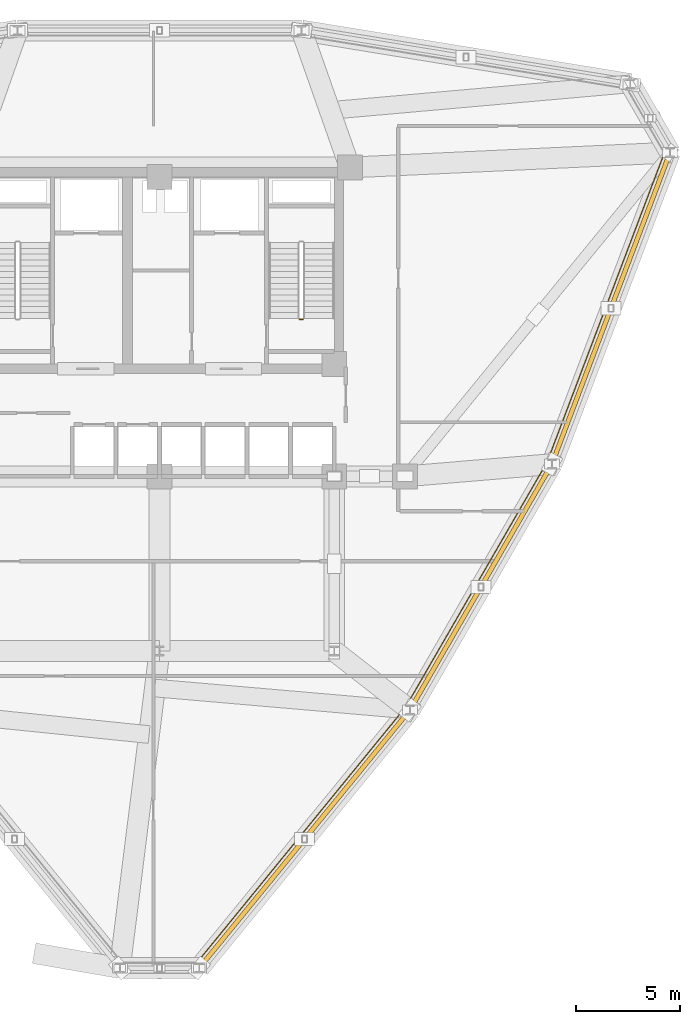
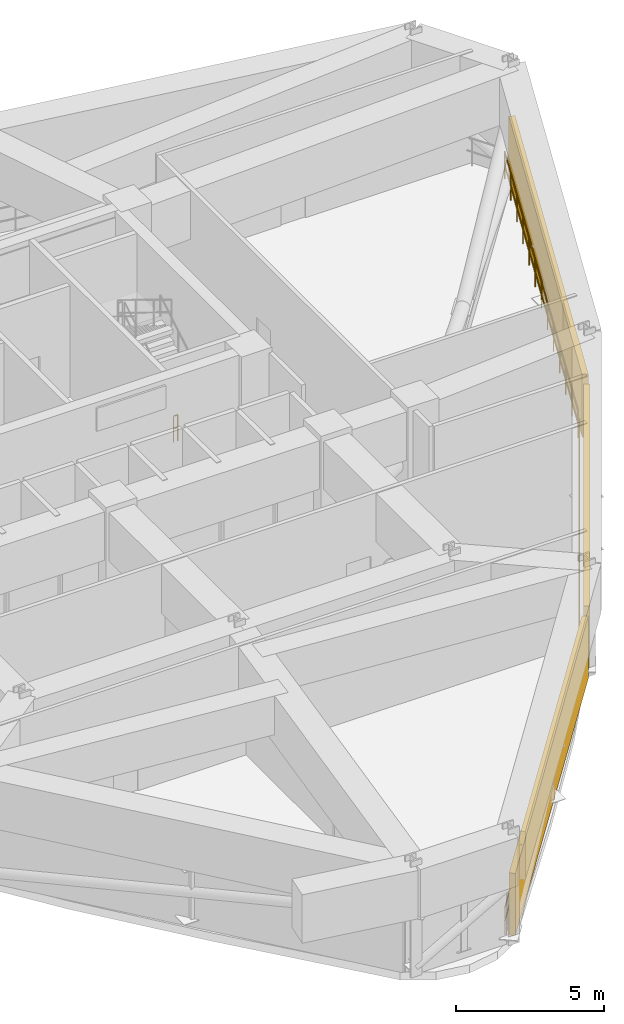
# One storey, part 11 of 13: 4 railings, 3 shading devices.
"""IFC4 building model written with IfcOpenShell, lengths in metres."""

from ifc_helpers import new_model, si_unit, derived_unit, direction, frame, origin, origin_2d, place, context, subcontext, project, spatial, polyline, circle, outline, extrude, material, layer, layer_set, type_object, element, save


model = new_model("IFC4")

# Units and contexts
model_context = context("Model", 3, precision=1e-05, world=origin(), true_north=direction((0.0, 1.0)))
body_context = subcontext(model_context, "Body", "Model", "MODEL_VIEW")
ifc_project = project(units=[si_unit("LENGTHUNIT", "METRE"), si_unit("AREAUNIT", "SQUARE_METRE"), si_unit("VOLUMEUNIT", "CUBIC_METRE"), si_unit("PLANEANGLEUNIT", "RADIAN"), si_unit("MASSUNIT", "GRAM", prefix="KILO"), derived_unit("THERMALTRANSMITTANCEUNIT", [(si_unit("POWERUNIT", "WATT"), 1), (si_unit("LENGTHUNIT", "METRE"), -2), (si_unit("THERMODYNAMICTEMPERATUREUNIT", "KELVIN"), -1)])], contexts=[model_context])

# Site, building, storey
site_placement = place(None, origin())
site = spatial("IfcSite", under=ifc_project, at=site_placement, CompositionType="ELEMENT")
building_placement = place(site_placement, origin())
building = spatial("IfcBuilding", under=site, at=building_placement, Name="Korsvarv Bourse and Concert Hall", CompositionType="ELEMENT")
storey_placement = place(building_placement, frame((0.0, 0.0, 131.39990234375)))
storey = spatial("IfcBuildingStorey", under=building, at=storey_placement, Name="L33", CompositionType="ELEMENT", Elevation=131.39990234375)

# Railings
ifc_material_1 = material(Name="Laminated safety glass and stainless Steel S355 balustrade", Category="steel")
railing_type_1 = type_object("IfcRailingType", Name="RL-BAL-EXT", PredefinedType="BALUSTRADE", material=ifc_material_1)
railing_1_placement = place(storey_placement, frame((37.91650390625, 9.168701171875, 0.0)))
element("IfcRailing", 1, at=railing_1_placement, inside=storey, type_object=railing_type_1, Name="L33 Refuge Band Perimeter Safety Balustrade 10", PredefinedType="BALUSTRADE", context=body_context, shape_type="SweptSolid", body=[
    extrude(circle(Radius=0.02392578125, at=origin_2d()), frame((0.0, 0.0, 1.1259765625), z_axis=(0.632515519783, 0.774547685578, 0.0), x_axis=(-0.774547685578, 0.632515519783, 0.0)), (0.0, 0.0, 1.0), 15.375732421875),
    extrude(circle(Radius=0.02392578125, at=origin_2d()), frame((0.0, 0.0, 0.574951171875), z_axis=(0.632515519783, 0.774547685578, 0.0), x_axis=(-0.774547685578, 0.632515519783, 0.0)), (0.0, 0.0, 1.0), 15.375732421875),
    extrude(circle(Radius=0.02099609375, at=origin_2d()), origin(), (0.0, 0.0, 1.0), 1.101806640625),
    extrude(circle(Radius=0.02099609375, at=origin_2d()), frame((0.810546875, 0.992431640625, 0.0)), (0.0, 0.0, 1.0), 1.101806640625),
    extrude(circle(Radius=0.02099609375, at=origin_2d()), frame((1.620849609375, 1.98486328125, 0.0)), (0.0, 0.0, 1.0), 1.101806640625),
    extrude(circle(Radius=0.02099609375, at=origin_2d()), frame((2.431396484375, 2.977294921875, 0.0)), (0.0, 0.0, 1.0), 1.101806640625),
    extrude(circle(Radius=0.02099609375, at=origin_2d()), frame((3.24169921875, 3.9697265625, 0.0)), (0.0, 0.0, 1.0), 1.101806640625),
    extrude(circle(Radius=0.02099609375, at=origin_2d()), frame((4.05224609375, 4.962158203125, 0.0)), (0.0, 0.0, 1.0), 1.101806640625),
    extrude(circle(Radius=0.02099609375, at=origin_2d()), frame((4.86279296875, 5.95458984375, 0.0)), (0.0, 0.0, 1.0), 1.101806640625),
    extrude(circle(Radius=0.02099609375, at=origin_2d()), frame((5.673095703125, 6.947021484375, 0.0)), (0.0, 0.0, 1.0), 1.101806640625),
    extrude(circle(Radius=0.02099609375, at=origin_2d()), frame((6.483642578125, 7.939453125, 0.0)), (0.0, 0.0, 1.0), 1.101806640625),
    extrude(circle(Radius=0.02099609375, at=origin_2d()), frame((7.2939453125, 8.931884765625, 0.0)), (0.0, 0.0, 1.0), 1.101806640625),
    extrude(circle(Radius=0.02099609375, at=origin_2d()), frame((8.1044921875, 9.92431640625, 0.0)), (0.0, 0.0, 1.0), 1.101806640625),
    extrude(circle(Radius=0.02099609375, at=origin_2d()), frame((8.914794921875, 10.916748046875, 0.0)), (0.0, 0.0, 1.0), 1.101806640625),
    extrude(circle(Radius=0.02099609375, at=origin_2d()), frame((9.725341796875, 11.9091796875, 0.0)), (0.0, 0.0, 1.0), 1.101806640625),
])
railing_2_placement = place(storey_placement, frame((47.9638671875, 21.539794921875, 0.0)))
element("IfcRailing", 2, at=railing_2_placement, inside=storey, type_object=railing_type_1, Name="L33 Refuge Band Perimeter Safety Balustrade 11", PredefinedType="BALUSTRADE", context=body_context, shape_type="SweptSolid", body=[
    extrude(circle(Radius=0.02392578125, at=origin_2d()), frame((0.0, 0.0, 1.1259765625), z_axis=(0.500008931556, 0.866020247087, 0.0), x_axis=(-0.866020247087, 0.500008931556, 0.0)), (0.0, 0.0, 1.0), 13.081787109375),
    extrude(circle(Radius=0.02392578125, at=origin_2d()), frame((0.0, 0.0, 0.574951171875), z_axis=(0.500008931556, 0.866020247087, 0.0), x_axis=(-0.866020247087, 0.500008931556, 0.0)), (0.0, 0.0, 1.0), 13.081787109375),
    extrude(circle(Radius=0.02099609375, at=origin_2d()), origin(), (0.0, 0.0, 1.0), 1.101806640625),
    extrude(circle(Radius=0.02099609375, at=origin_2d()), frame((0.654052734375, 1.1328125, 0.0)), (0.0, 0.0, 1.0), 1.101806640625),
    extrude(circle(Radius=0.02099609375, at=origin_2d()), frame((1.30810546875, 2.265869140625, 0.0)), (0.0, 0.0, 1.0), 1.101806640625),
    extrude(circle(Radius=0.02099609375, at=origin_2d()), frame((1.96240234375, 3.398681640625, 0.0)), (0.0, 0.0, 1.0), 1.101806640625),
    extrude(circle(Radius=0.02099609375, at=origin_2d()), frame((2.616455078125, 4.53173828125, 0.0)), (0.0, 0.0, 1.0), 1.101806640625),
    extrude(circle(Radius=0.02099609375, at=origin_2d()), frame((3.2705078125, 5.66455078125, 0.0)), (0.0, 0.0, 1.0), 1.101806640625),
    extrude(circle(Radius=0.02099609375, at=origin_2d()), frame((3.924560546875, 6.79736328125, 0.0)), (0.0, 0.0, 1.0), 1.101806640625),
    extrude(circle(Radius=0.02099609375, at=origin_2d()), frame((4.57861328125, 7.930419921875, 0.0)), (0.0, 0.0, 1.0), 1.101806640625),
    extrude(circle(Radius=0.02099609375, at=origin_2d()), frame((5.23291015625, 9.063232421875, 0.0)), (0.0, 0.0, 1.0), 1.101806640625),
    extrude(circle(Radius=0.02099609375, at=origin_2d()), frame((5.886962890625, 10.1962890625, 0.0)), (0.0, 0.0, 1.0), 1.101806640625),
    extrude(circle(Radius=0.02099609375, at=origin_2d()), frame((6.541015625, 11.3291015625, 0.0)), (0.0, 0.0, 1.0), 1.101806640625),
])
railing_3_placement = place(storey_placement, frame((54.724365234375, 33.32763671875, 0.0)))
element("IfcRailing", 3, at=railing_3_placement, inside=storey, type_object=railing_type_1, Name="L33 Refuge Band Perimeter Safety Balustrade 12", PredefinedType="BALUSTRADE", context=body_context, shape_type="SweptSolid", body=[
    extrude(circle(Radius=0.02392578125, at=origin_2d()), frame((0.0, 0.0, 1.1259765625), z_axis=(0.35451449939, 0.935050517203, 0.0), x_axis=(-0.935050517203, 0.35451449939, 0.0)), (0.0, 0.0, 1.0), 15.4853515625),
    extrude(circle(Radius=0.02392578125, at=origin_2d()), frame((0.0, 0.0, 0.574951171875), z_axis=(0.35451449939, 0.935050517203, 0.0), x_axis=(-0.935050517203, 0.35451449939, 0.0)), (0.0, 0.0, 1.0), 15.4853515625),
    extrude(circle(Radius=0.02099609375, at=origin_2d()), origin(), (0.0, 0.0, 1.0), 1.101806640625),
    extrude(circle(Radius=0.02099609375, at=origin_2d()), frame((0.45751953125, 1.20654296875, 0.0)), (0.0, 0.0, 1.0), 1.101806640625),
    extrude(circle(Radius=0.02099609375, at=origin_2d()), frame((0.9150390625, 2.413330078125, 0.0)), (0.0, 0.0, 1.0), 1.101806640625),
    extrude(circle(Radius=0.02099609375, at=origin_2d()), frame((1.37255859375, 3.619873046875, 0.0)), (0.0, 0.0, 1.0), 1.101806640625),
    extrude(circle(Radius=0.02099609375, at=origin_2d()), frame((1.829833984375, 4.826416015625, 0.0)), (0.0, 0.0, 1.0), 1.101806640625),
    extrude(circle(Radius=0.02099609375, at=origin_2d()), frame((2.287353515625, 6.033203125, 0.0)), (0.0, 0.0, 1.0), 1.101806640625),
    extrude(circle(Radius=0.02099609375, at=origin_2d()), frame((2.744873046875, 7.23974609375, 0.0)), (0.0, 0.0, 1.0), 1.101806640625),
    extrude(circle(Radius=0.02099609375, at=origin_2d()), frame((3.202392578125, 8.4462890625, 0.0)), (0.0, 0.0, 1.0), 1.101806640625),
    extrude(circle(Radius=0.02099609375, at=origin_2d()), frame((3.659912109375, 9.653076171875, 0.0)), (0.0, 0.0, 1.0), 1.101806640625),
    extrude(circle(Radius=0.02099609375, at=origin_2d()), frame((4.1171875, 10.859619140625, 0.0)), (0.0, 0.0, 1.0), 1.101806640625),
    extrude(circle(Radius=0.02099609375, at=origin_2d()), frame((4.57470703125, 12.066162109375, 0.0)), (0.0, 0.0, 1.0), 1.101806640625),
    extrude(circle(Radius=0.02099609375, at=origin_2d()), frame((5.0322265625, 13.27294921875, 0.0)), (0.0, 0.0, 1.0), 1.101806640625),
    extrude(circle(Radius=0.02099609375, at=origin_2d()), frame((5.48974609375, 14.4794921875, 0.0)), (0.0, 0.0, 1.0), 1.101806640625),
])
ifc_material_2 = material(Name="Painted Steel S355 stair well guardrail", Category="steel")
railing_type_2 = type_object("IfcRailingType", Name="RL-ST-GRD", PredefinedType="GUARDRAIL", material=ifc_material_2)
railing_4_placement = place(storey_placement, frame((42.89990234375, 39.949951171875, 0.0)))
element("IfcRailing", 4, at=railing_4_placement, inside=storey, type_object=railing_type_2, Name="L33 ST-T2 stair guard 4", PredefinedType="GUARDRAIL", context=body_context, shape_type="SweptSolid", body=[
    extrude(circle(Radius=0.02392578125, at=origin_2d()), frame((0.0, 0.0, 1.076171875), z_axis=(-1.0, 0.0, 0.0), x_axis=(0.0, -1.0, 0.0)), (0.0, 0.0, 1.0), 0.159912109375),
    extrude(circle(Radius=0.02392578125, at=origin_2d()), frame((0.0, 0.0, 0.550048828125), z_axis=(-1.0, 0.0, 0.0), x_axis=(0.0, -1.0, 0.0)), (0.0, 0.0, 1.0), 0.159912109375),
    extrude(circle(Radius=0.02099609375, at=origin_2d()), origin(), (0.0, 0.0, 1.0), 1.052001953125),
    extrude(circle(Radius=0.02099609375, at=origin_2d()), frame((-0.159912109375, 0.0, 0.0)), (0.0, 0.0, 1.0), 1.052001953125),
])

# Shading devices
ifc_material_3 = material(Name="Marine-grade powder-coated aluminium acoustic storm louvre", Category="aluminium")
ifc_layer = layer(ifc_material_3, 0.219970703125)
ifc_layer_set = layer_set([ifc_layer], Name="Marine-grade powder-coated aluminium acoustic storm louvre")
shading_device_type = type_object("IfcShadingDeviceType", Name="SHD-LVR-1", PredefinedType="JALOUSIE", material=ifc_layer_set)
shading_device_1_placement = place(storey_placement, origin())
element("IfcShadingDevice", 5, at=shading_device_1_placement, inside=storey, type_object=shading_device_type, Name="L33 Refuge Acoustic Storm Louvre Bay 10", PredefinedType="JALOUSIE", context=body_context, shape_type="SweptSolid", body=[
    extrude(outline(polyline([(38.02490234375, 9.080078125), (47.750244140625, 20.989501953125), (47.920654296875, 20.85009765625), (38.1953125, 8.94091796875), (38.02490234375, 9.080078125)])), origin(), (0.0, 0.0, 1.0), 2.570068359375),
])
shading_device_2_placement = place(storey_placement, origin())
element("IfcShadingDevice", 6, at=shading_device_2_placement, inside=storey, type_object=shading_device_type, Name="L33 Refuge Acoustic Storm Louvre Bay 11", PredefinedType="JALOUSIE", context=body_context, shape_type="SweptSolid", body=[
    extrude(outline(polyline([(48.085205078125, 21.4697265625), (54.626220703125, 32.799072265625), (54.816650390625, 32.68896484375), (48.275634765625, 21.35986328125), (48.085205078125, 21.4697265625)])), origin(), (0.0, 0.0, 1.0), 2.570068359375),
])
shading_device_3_placement = place(storey_placement, origin())
element("IfcShadingDevice", 7, at=shading_device_3_placement, inside=storey, type_object=shading_device_type, Name="L33 Refuge Acoustic Storm Louvre Bay 12", PredefinedType="JALOUSIE", context=body_context, shape_type="SweptSolid", body=[
    extrude(outline(polyline([(54.855224609375, 33.278076171875), (60.34521484375, 47.757568359375), (60.55078125, 47.6796875), (55.06103515625, 33.199951171875), (54.855224609375, 33.278076171875)])), origin(), (0.0, 0.0, 1.0), 2.570068359375),
])

save(model, "model.ifc")
